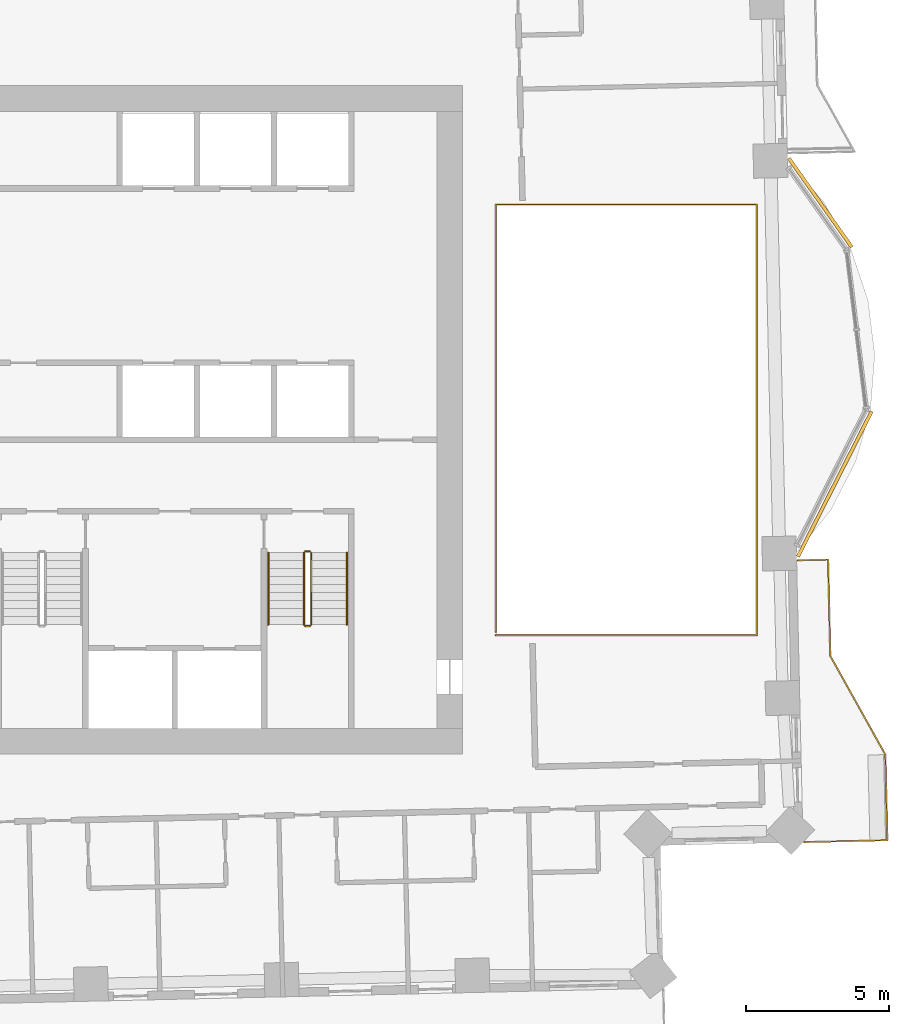
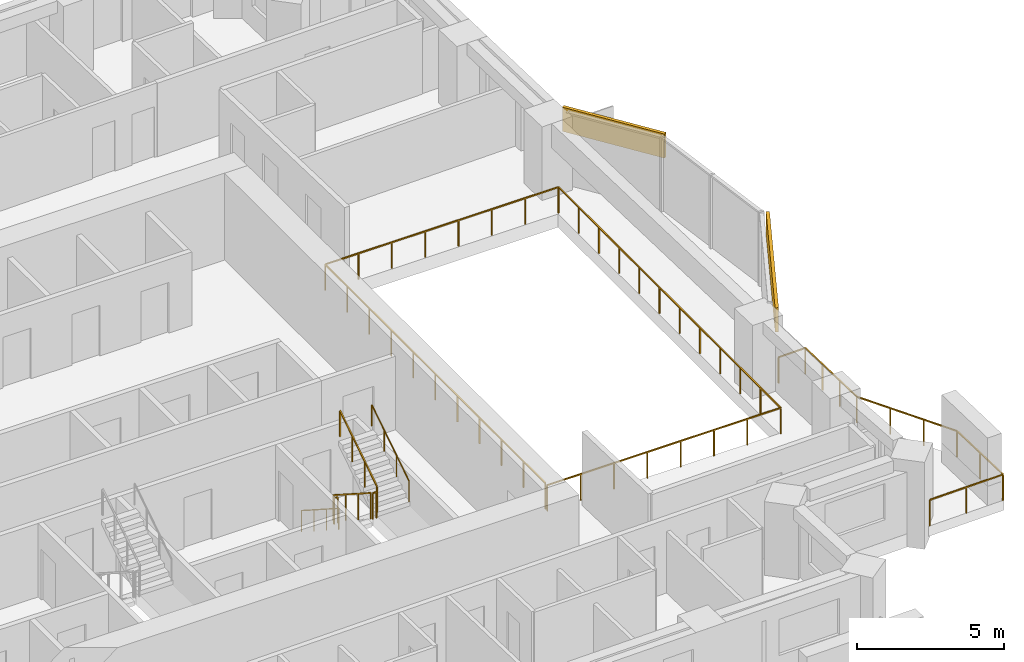
# One storey, part 13 of 14: 8 railings, 2 coverings.
"""IFC4 building model written with IfcOpenShell, lengths in metres."""

from ifc_helpers import new_model, si_unit, direction, frame, frame_2d, origin, origin_2d, place, context, subcontext, project, spatial, rectangle, circle, extrude, material, layer, layer_set, type_object, element, save


model = new_model("IFC4")

# Units and contexts
model_context = context("Model", 3, precision=1e-05, world=origin(), true_north=direction((0.0, 1.0)))
body_context = subcontext(model_context, "Body", "Model", "MODEL_VIEW")
ifc_project = project(units=[si_unit("LENGTHUNIT", "METRE"), si_unit("AREAUNIT", "SQUARE_METRE"), si_unit("VOLUMEUNIT", "CUBIC_METRE"), si_unit("PLANEANGLEUNIT", "RADIAN"), si_unit("MASSUNIT", "GRAM", prefix="KILO")], contexts=[model_context])

# Site, building, storey
site_placement = place(None, origin())
site = spatial("IfcSite", under=ifc_project, at=site_placement, CompositionType="ELEMENT")
building_placement = place(site_placement, origin())
building = spatial("IfcBuilding", under=site, at=building_placement, Name="Mangrove Gate Tower", CompositionType="ELEMENT")
storey_placement = place(building_placement, frame((0.0, 0.0, 186.10009765625)))
storey = spatial("IfcBuildingStorey", under=building, at=storey_placement, Name="L47", CompositionType="ELEMENT", Elevation=186.10009765625)

# Railings
ifc_material_1 = material(Name="Stainless steel grade 316 with laminated glass infill", Category="steel")
railing_type_1 = type_object("IfcRailingType", Name="Balcony guard 1100", PredefinedType="GUARDRAIL", material=ifc_material_1)
railing_1_placement = place(storey_placement, frame((26.658935546875, -14.785888671875, 0.0)))
element("IfcRailing", 1, at=railing_1_placement, inside=storey, type_object=railing_type_1, Name="GUARD L47 E1", PredefinedType="GUARDRAIL", context=body_context, shape_type="SweptSolid", body=[
    extrude(rectangle(XDim=0.048095703125, YDim=0.048095703125, at=origin_2d()), frame((0.0, 0.0, 1.076171875), z_axis=(0.99974356462, 0.022645198192, 0.0), x_axis=(-0.022645198192, 0.99974356462, 0.0)), (0.0, 0.0, 1.0), 2.910888671875),
    extrude(rectangle(XDim=0.048095703125, YDim=0.048095703125, at=origin_2d()), frame((2.91015625, 0.06591796875, 1.076171875), z_axis=(-0.022706615587, 0.999742171567, 0.0), x_axis=(-0.999742171567, -0.022706615587, 0.0)), (0.0, 0.0, 1.0), 2.999755859375),
    extrude(rectangle(XDim=0.048095703125, YDim=0.048095703125, at=origin_2d()), frame((2.842041015625, 3.06494140625, 1.076171875), z_axis=(-0.487155136876, 0.873315448515, 0.0), x_axis=(-0.873315448515, -0.487155136876, 0.0)), (0.0, 0.0, 1.0), 3.959716796875),
    extrude(rectangle(XDim=0.048095703125, YDim=0.048095703125, at=origin_2d()), frame((0.9130859375, 6.52294921875, 1.076171875), z_axis=(-0.022793728981, 0.999740189209, 0.0), x_axis=(-0.999740189209, -0.022793728981, 0.0)), (0.0, 0.0, 1.0), 3.3740234375),
    extrude(rectangle(XDim=0.048095703125, YDim=0.048095703125, at=origin_2d()), frame((0.836181640625, 9.89599609375, 1.076171875), z_axis=(-0.999760733616, -0.021874083301, 0.0), x_axis=(0.021874083301, -0.999760733616, 0.0)), (0.0, 0.0, 1.0), 1.060302734375),
    extrude(rectangle(XDim=0.0419921875, YDim=0.0419921875, at=origin_2d()), origin(), (0.0, 0.0, 1.0), 1.052001953125),
    extrude(rectangle(XDim=0.0419921875, YDim=0.0419921875, at=origin_2d()), frame((1.455078125, 0.032958984375, 0.0)), (0.0, 0.0, 1.0), 1.052001953125),
    extrude(rectangle(XDim=0.0419921875, YDim=0.0419921875, at=origin_2d()), frame((2.91015625, 0.06591796875, 0.0)), (0.0, 0.0, 1.0), 1.052001953125),
    extrude(rectangle(XDim=0.0419921875, YDim=0.0419921875, at=origin_2d()), frame((2.8759765625, 1.5654296875, 0.0)), (0.0, 0.0, 1.0), 1.052001953125),
    extrude(rectangle(XDim=0.0419921875, YDim=0.0419921875, at=origin_2d()), frame((2.842041015625, 3.06494140625, 0.0)), (0.0, 0.0, 1.0), 1.052001953125),
    extrude(rectangle(XDim=0.0419921875, YDim=0.0419921875, at=origin_2d()), frame((2.198974609375, 4.217529296875, 0.0)), (0.0, 0.0, 1.0), 1.052001953125),
    extrude(rectangle(XDim=0.0419921875, YDim=0.0419921875, at=origin_2d()), frame((1.55615234375, 5.370361328125, 0.0)), (0.0, 0.0, 1.0), 1.052001953125),
    extrude(rectangle(XDim=0.0419921875, YDim=0.0419921875, at=origin_2d()), frame((0.9130859375, 6.52294921875, 0.0)), (0.0, 0.0, 1.0), 1.052001953125),
    extrude(rectangle(XDim=0.0419921875, YDim=0.0419921875, at=origin_2d()), frame((0.887451171875, 7.647216796875, 0.0)), (0.0, 0.0, 1.0), 1.052001953125),
    extrude(rectangle(XDim=0.0419921875, YDim=0.0419921875, at=origin_2d()), frame((0.86181640625, 8.771728515625, 0.0)), (0.0, 0.0, 1.0), 1.052001953125),
    extrude(rectangle(XDim=0.0419921875, YDim=0.0419921875, at=origin_2d()), frame((0.836181640625, 9.89599609375, 0.0)), (0.0, 0.0, 1.0), 1.052001953125),
    extrude(rectangle(XDim=0.0419921875, YDim=0.0419921875, at=origin_2d()), frame((-0.223876953125, 9.872802734375, 0.0)), (0.0, 0.0, 1.0), 1.052001953125),
])
railing_2_placement = place(storey_placement, frame((15.860107421875, -7.5400390625, 0.0)))
element("IfcRailing", 2, at=railing_2_placement, inside=storey, type_object=railing_type_1, Name="GUARD L47 atrium", PredefinedType="GUARDRAIL", context=body_context, shape_type="SweptSolid", body=[
    extrude(rectangle(XDim=0.048095703125, YDim=0.048095703125, at=origin_2d()), frame((0.0, 0.0, 1.076171875), z_axis=(1.0, 0.0, 0.0), x_axis=(0.0, 1.0, 0.0)), (0.0, 0.0, 1.0), 9.143798828125),
    extrude(rectangle(XDim=0.048095703125, YDim=0.048095703125, at=origin_2d()), frame((9.143798828125, 0.0, 1.076171875), z_axis=(0.0, 1.0, 0.0), x_axis=(-1.0, 0.0, 0.0)), (0.0, 0.0, 1.0), 15.080078125),
    extrude(rectangle(XDim=0.048095703125, YDim=0.048095703125, at=origin_2d()), frame((9.143798828125, 15.080078125, 1.076171875), z_axis=(-1.0, 0.0, 0.0), x_axis=(0.0, -1.0, 0.0)), (0.0, 0.0, 1.0), 9.143798828125),
    extrude(rectangle(XDim=0.048095703125, YDim=0.048095703125, at=origin_2d()), frame((0.0, 15.080078125, 1.076171875), z_axis=(0.0, -1.0, 0.0), x_axis=(1.0, 0.0, 0.0)), (0.0, 0.0, 1.0), 14.9599609375),
    extrude(rectangle(XDim=0.0419921875, YDim=0.0419921875, at=origin_2d()), origin(), (0.0, 0.0, 1.0), 1.052001953125),
    extrude(rectangle(XDim=0.0419921875, YDim=0.0419921875, at=origin_2d()), frame((1.30615234375, 0.0, 0.0)), (0.0, 0.0, 1.0), 1.052001953125),
    extrude(rectangle(XDim=0.0419921875, YDim=0.0419921875, at=origin_2d()), frame((2.612548828125, 0.0, 0.0)), (0.0, 0.0, 1.0), 1.052001953125),
    extrude(rectangle(XDim=0.0419921875, YDim=0.0419921875, at=origin_2d()), frame((3.918701171875, 0.0, 0.0)), (0.0, 0.0, 1.0), 1.052001953125),
    extrude(rectangle(XDim=0.0419921875, YDim=0.0419921875, at=origin_2d()), frame((5.22509765625, 0.0, 0.0)), (0.0, 0.0, 1.0), 1.052001953125),
    extrude(rectangle(XDim=0.0419921875, YDim=0.0419921875, at=origin_2d()), frame((6.53125, 0.0, 0.0)), (0.0, 0.0, 1.0), 1.052001953125),
    extrude(rectangle(XDim=0.0419921875, YDim=0.0419921875, at=origin_2d()), frame((7.837646484375, 0.0, 0.0)), (0.0, 0.0, 1.0), 1.052001953125),
    extrude(rectangle(XDim=0.0419921875, YDim=0.0419921875, at=origin_2d()), frame((9.143798828125, 0.0, 0.0)), (0.0, 0.0, 1.0), 1.052001953125),
    extrude(rectangle(XDim=0.0419921875, YDim=0.0419921875, at=origin_2d()), frame((9.143798828125, 1.370849609375, 0.0)), (0.0, 0.0, 1.0), 1.052001953125),
    extrude(rectangle(XDim=0.0419921875, YDim=0.0419921875, at=origin_2d()), frame((9.143798828125, 2.741943359375, 0.0)), (0.0, 0.0, 1.0), 1.052001953125),
    extrude(rectangle(XDim=0.0419921875, YDim=0.0419921875, at=origin_2d()), frame((9.143798828125, 4.11279296875, 0.0)), (0.0, 0.0, 1.0), 1.052001953125),
    extrude(rectangle(XDim=0.0419921875, YDim=0.0419921875, at=origin_2d()), frame((9.143798828125, 5.483642578125, 0.0)), (0.0, 0.0, 1.0), 1.052001953125),
    extrude(rectangle(XDim=0.0419921875, YDim=0.0419921875, at=origin_2d()), frame((9.143798828125, 6.8544921875, 0.0)), (0.0, 0.0, 1.0), 1.052001953125),
    extrude(rectangle(XDim=0.0419921875, YDim=0.0419921875, at=origin_2d()), frame((9.143798828125, 8.2255859375, 0.0)), (0.0, 0.0, 1.0), 1.052001953125),
    extrude(rectangle(XDim=0.0419921875, YDim=0.0419921875, at=origin_2d()), frame((9.143798828125, 9.596435546875, 0.0)), (0.0, 0.0, 1.0), 1.052001953125),
    extrude(rectangle(XDim=0.0419921875, YDim=0.0419921875, at=origin_2d()), frame((9.143798828125, 10.96728515625, 0.0)), (0.0, 0.0, 1.0), 1.052001953125),
    extrude(rectangle(XDim=0.0419921875, YDim=0.0419921875, at=origin_2d()), frame((9.143798828125, 12.338134765625, 0.0)), (0.0, 0.0, 1.0), 1.052001953125),
    extrude(rectangle(XDim=0.0419921875, YDim=0.0419921875, at=origin_2d()), frame((9.143798828125, 13.709228515625, 0.0)), (0.0, 0.0, 1.0), 1.052001953125),
    extrude(rectangle(XDim=0.0419921875, YDim=0.0419921875, at=origin_2d()), frame((9.143798828125, 15.080078125, 0.0)), (0.0, 0.0, 1.0), 1.052001953125),
    extrude(rectangle(XDim=0.0419921875, YDim=0.0419921875, at=origin_2d()), frame((7.837646484375, 15.080078125, 0.0)), (0.0, 0.0, 1.0), 1.052001953125),
    extrude(rectangle(XDim=0.0419921875, YDim=0.0419921875, at=origin_2d()), frame((6.53125, 15.080078125, 0.0)), (0.0, 0.0, 1.0), 1.052001953125),
    extrude(rectangle(XDim=0.0419921875, YDim=0.0419921875, at=origin_2d()), frame((5.22509765625, 15.080078125, 0.0)), (0.0, 0.0, 1.0), 1.052001953125),
    extrude(rectangle(XDim=0.0419921875, YDim=0.0419921875, at=origin_2d()), frame((3.918701171875, 15.080078125, 0.0)), (0.0, 0.0, 1.0), 1.052001953125),
    extrude(rectangle(XDim=0.0419921875, YDim=0.0419921875, at=origin_2d()), frame((2.612548828125, 15.080078125, 0.0)), (0.0, 0.0, 1.0), 1.052001953125),
    extrude(rectangle(XDim=0.0419921875, YDim=0.0419921875, at=origin_2d()), frame((1.30615234375, 15.080078125, 0.0)), (0.0, 0.0, 1.0), 1.052001953125),
    extrude(rectangle(XDim=0.0419921875, YDim=0.0419921875, at=origin_2d()), frame((0.0, 15.080078125, 0.0)), (0.0, 0.0, 1.0), 1.052001953125),
    extrude(rectangle(XDim=0.0419921875, YDim=0.0419921875, at=origin_2d()), frame((0.0, 13.583984375, 0.0)), (0.0, 0.0, 1.0), 1.052001953125),
    extrude(rectangle(XDim=0.0419921875, YDim=0.0419921875, at=origin_2d()), frame((0.0, 12.088134765625, 0.0)), (0.0, 0.0, 1.0), 1.052001953125),
    extrude(rectangle(XDim=0.0419921875, YDim=0.0419921875, at=origin_2d()), frame((0.0, 10.592041015625, 0.0)), (0.0, 0.0, 1.0), 1.052001953125),
    extrude(rectangle(XDim=0.0419921875, YDim=0.0419921875, at=origin_2d()), frame((0.0, 9.09619140625, 0.0)), (0.0, 0.0, 1.0), 1.052001953125),
    extrude(rectangle(XDim=0.0419921875, YDim=0.0419921875, at=origin_2d()), frame((0.0, 7.60009765625, 0.0)), (0.0, 0.0, 1.0), 1.052001953125),
    extrude(rectangle(XDim=0.0419921875, YDim=0.0419921875, at=origin_2d()), frame((0.0, 6.10400390625, 0.0)), (0.0, 0.0, 1.0), 1.052001953125),
    extrude(rectangle(XDim=0.0419921875, YDim=0.0419921875, at=origin_2d()), frame((0.0, 4.608154296875, 0.0)), (0.0, 0.0, 1.0), 1.052001953125),
    extrude(rectangle(XDim=0.0419921875, YDim=0.0419921875, at=origin_2d()), frame((0.0, 3.112060546875, 0.0)), (0.0, 0.0, 1.0), 1.052001953125),
    extrude(rectangle(XDim=0.0419921875, YDim=0.0419921875, at=origin_2d()), frame((0.0, 1.6162109375, 0.0)), (0.0, 0.0, 1.0), 1.052001953125),
    extrude(rectangle(XDim=0.0419921875, YDim=0.0419921875, at=origin_2d()), frame((0.0, 0.1201171875, 0.0)), (0.0, 0.0, 1.0), 1.052001953125),
])
ifc_material_2 = material(Name="Stainless steel 316", Category="steel")
railing_type_2 = type_object("IfcRailingType", Name="Core stair guard 1100", PredefinedType="GUARDRAIL", material=ifc_material_2)
railing_3_placement = place(storey_placement, frame((9.14990234375, -4.64990234375, 0.179931640625)))
element("IfcRailing", 3, at=railing_3_placement, inside=storey, type_object=railing_type_2, Name="L47 ST3 stair guard 1", PredefinedType="GUARDRAIL", context=body_context, shape_type="SweptSolid", body=[
    extrude(rectangle(XDim=0.048095703125, YDim=0.048095703125, at=origin_2d()), frame((0.0, 0.0, 1.076171875), z_axis=(0.0, -0.841199657755, 0.540724639528), x_axis=(1.0, 0.0, 0.0)), (0.0, 0.0, 1.0), 2.995849609375),
    extrude(rectangle(XDim=0.0419921875, YDim=0.0419921875, at=origin_2d()), origin(), (0.0, 0.0, 1.0), 1.052001953125),
    extrude(rectangle(XDim=0.0419921875, YDim=0.0419921875, at=origin_2d()), frame((0.0, -0.840087890625, 0.5400390625)), (0.0, 0.0, 1.0), 1.052001953125),
    extrude(rectangle(XDim=0.0419921875, YDim=0.0419921875, at=origin_2d()), frame((0.0, -1.679931640625, 1.079833984375)), (0.0, 0.0, 1.0), 1.052001953125),
    extrude(rectangle(XDim=0.0419921875, YDim=0.0419921875, at=origin_2d()), frame((0.0, -2.52001953125, 1.619873046875)), (0.0, 0.0, 1.0), 1.052001953125),
])
railing_4_placement = place(storey_placement, frame((9.199951171875, -7.219970703125, 1.7998046875)))
element("IfcRailing", 4, at=railing_4_placement, inside=storey, type_object=railing_type_2, Name="L47 ST3 stair guard 2", PredefinedType="GUARDRAIL", context=body_context, shape_type="SweptSolid", body=[
    extrude(rectangle(XDim=0.048095703125, YDim=0.048095703125, at=origin_2d()), frame((0.0, 0.0, 1.076171875), z_axis=(1.0, 0.0, 0.0), x_axis=(0.0, 1.0, 0.0)), (0.0, 0.0, 1.0), 0.150146484375),
    extrude(rectangle(XDim=0.0419921875, YDim=0.0419921875, at=origin_2d()), origin(), (0.0, 0.0, 1.0), 1.052001953125),
    extrude(rectangle(XDim=0.0419921875, YDim=0.0419921875, at=origin_2d()), frame((0.150146484375, 0.0, 0.0)), (0.0, 0.0, 1.0), 1.052001953125),
])
railing_5_placement = place(storey_placement, frame((9.39990234375, -7.169921875, 1.97998046875)))
element("IfcRailing", 5, at=railing_5_placement, inside=storey, type_object=railing_type_2, Name="L47 ST3 stair guard 3", PredefinedType="GUARDRAIL", context=body_context, shape_type="SweptSolid", body=[
    extrude(rectangle(XDim=0.048095703125, YDim=0.048095703125, at=origin_2d()), frame((0.0, 0.0, 1.076171875), z_axis=(0.0, 0.841199657755, 0.540724639528), x_axis=(-1.0, 0.0, 0.0)), (0.0, 0.0, 1.0), 2.995849609375),
    extrude(rectangle(XDim=0.0419921875, YDim=0.0419921875, at=origin_2d()), origin(), (0.0, 0.0, 1.0), 1.052001953125),
    extrude(rectangle(XDim=0.0419921875, YDim=0.0419921875, at=origin_2d()), frame((0.0, 0.840087890625, 0.5400390625)), (0.0, 0.0, 1.0), 1.052001953125),
    extrude(rectangle(XDim=0.0419921875, YDim=0.0419921875, at=origin_2d()), frame((0.0, 1.679931640625, 1.079833984375)), (0.0, 0.0, 1.0), 1.052001953125),
    extrude(rectangle(XDim=0.0419921875, YDim=0.0419921875, at=origin_2d()), frame((0.0, 2.52001953125, 1.619873046875)), (0.0, 0.0, 1.0), 1.052001953125),
])
railing_6_placement = place(storey_placement, frame((9.199951171875, -4.60009765625, 0.0)))
element("IfcRailing", 6, at=railing_6_placement, inside=storey, type_object=railing_type_2, Name="L47 ST3 stair guard 4", PredefinedType="GUARDRAIL", context=body_context, shape_type="SweptSolid", body=[
    extrude(rectangle(XDim=0.048095703125, YDim=0.048095703125, at=origin_2d()), frame((0.0, 0.0, 1.076171875), z_axis=(1.0, 0.0, 0.0), x_axis=(0.0, 1.0, 0.0)), (0.0, 0.0, 1.0), 0.150146484375),
    extrude(rectangle(XDim=0.0419921875, YDim=0.0419921875, at=origin_2d()), origin(), (0.0, 0.0, 1.0), 1.052001953125),
    extrude(rectangle(XDim=0.0419921875, YDim=0.0419921875, at=origin_2d()), frame((0.150146484375, 0.0, 0.0)), (0.0, 0.0, 1.0), 1.052001953125),
])
ifc_material_3 = material(Name="Stainless steel 316", Category="steel")
railing_type_3 = type_object("IfcRailingType", Name="Core stair handrail 900", PredefinedType="HANDRAIL", material=ifc_material_3)
railing_7_placement = place(storey_placement, frame((7.89990234375, -4.64990234375, 0.179931640625)))
element("IfcRailing", 7, at=railing_7_placement, inside=storey, type_object=railing_type_3, Name="L47 ST3 stair handrail 1", PredefinedType="HANDRAIL", context=body_context, shape_type="SweptSolid", body=[
    extrude(circle(Radius=0.02392578125, at=origin_2d()), frame((0.0, 0.0, 0.8759765625), z_axis=(0.0, -0.841199657755, 0.540724639528), x_axis=(1.0, 0.0, 0.0)), (0.0, 0.0, 1.0), 2.995849609375),
    extrude(circle(Radius=0.02099609375, at=origin_2d()), origin(), (0.0, 0.0, 1.0), 0.851806640625),
    extrude(circle(Radius=0.02099609375, at=origin_2d()), frame((0.0, -0.840087890625, 0.5400390625)), (0.0, 0.0, 1.0), 0.851806640625),
    extrude(circle(Radius=0.02099609375, at=origin_2d()), frame((0.0, -1.679931640625, 1.079833984375)), (0.0, 0.0, 1.0), 0.851806640625),
    extrude(circle(Radius=0.02099609375, at=origin_2d()), frame((0.0, -2.52001953125, 1.619873046875)), (0.0, 0.0, 1.0), 0.851806640625),
])
railing_8_placement = place(storey_placement, frame((10.64990234375, -7.169921875, 1.97998046875)))
element("IfcRailing", 8, at=railing_8_placement, inside=storey, type_object=railing_type_3, Name="L47 ST3 stair handrail 2", PredefinedType="HANDRAIL", context=body_context, shape_type="SweptSolid", body=[
    extrude(circle(Radius=0.02392578125, at=origin_2d()), frame((0.0, 0.0, 0.8759765625), z_axis=(0.0, 0.841199657755, 0.540724639528), x_axis=(-1.0, 0.0, 0.0)), (0.0, 0.0, 1.0), 2.995849609375),
    extrude(circle(Radius=0.02099609375, at=origin_2d()), origin(), (0.0, 0.0, 1.0), 0.851806640625),
    extrude(circle(Radius=0.02099609375, at=origin_2d()), frame((0.0, 0.840087890625, 0.5400390625)), (0.0, 0.0, 1.0), 0.851806640625),
    extrude(circle(Radius=0.02099609375, at=origin_2d()), frame((0.0, 1.679931640625, 1.079833984375)), (0.0, 0.0, 1.0), 0.851806640625),
    extrude(circle(Radius=0.02099609375, at=origin_2d()), frame((0.0, 2.52001953125, 1.619873046875)), (0.0, 0.0, 1.0), 0.851806640625),
])

# Coverings
ifc_material_4 = material(Name="Limestone", Category="masonry")
ifc_layer_1 = layer(ifc_material_4, 0.0400390625, Name="Limestone cladding")
ifc_material_5 = material(Name="Stainless steel anchors and cavity", Category="steel")
ifc_layer_2 = layer(ifc_material_5, 0.080078125, Name="Fixing cavity")
ifc_layer_set = layer_set([ifc_layer_1, ifc_layer_2], Name="Joint fascia cladding 120")
covering_type = type_object("IfcCoveringType", Name="Joint fascia cladding 120", PredefinedType="CLADDING", material=ifc_layer_set)
covering_1_placement = place(storey_placement, frame((26.4423828125, -4.788330078125, 2.0498046875), z_axis=(0.0, 0.0, 1.0), x_axis=(0.452512280568, 0.891758171219, 0.0)))
element("IfcCovering", 9, at=covering_1_placement, inside=storey, type_object=covering_type, Name="STONE FASCIA L47 E1.L1", PredefinedType="CLADDING", context=body_context, shape_type="SweptSolid", body=[
    extrude(rectangle(XDim=5.704833984375, YDim=0.1201171875, at=frame_2d((2.8525390625, 0.0))), origin(), (0.0, 0.0, 1.0), 1.0),
])
covering_2_placement = place(storey_placement, frame((28.327880859375, 6.047119140625, 2.0498046875), z_axis=(0.0, 0.0, 1.0), x_axis=(-0.578125537526, 0.815947830968, 0.0)))
element("IfcCovering", 10, at=covering_2_placement, inside=storey, type_object=covering_type, Name="STONE FASCIA L47 E1.L2", PredefinedType="CLADDING", context=body_context, shape_type="SweptSolid", body=[
    extrude(rectangle(XDim=3.81884765625, YDim=0.1201171875, at=frame_2d((1.909423828125, 0.0))), origin(), (0.0, 0.0, 1.0), 1.0),
])

save(model, "model.ifc")
